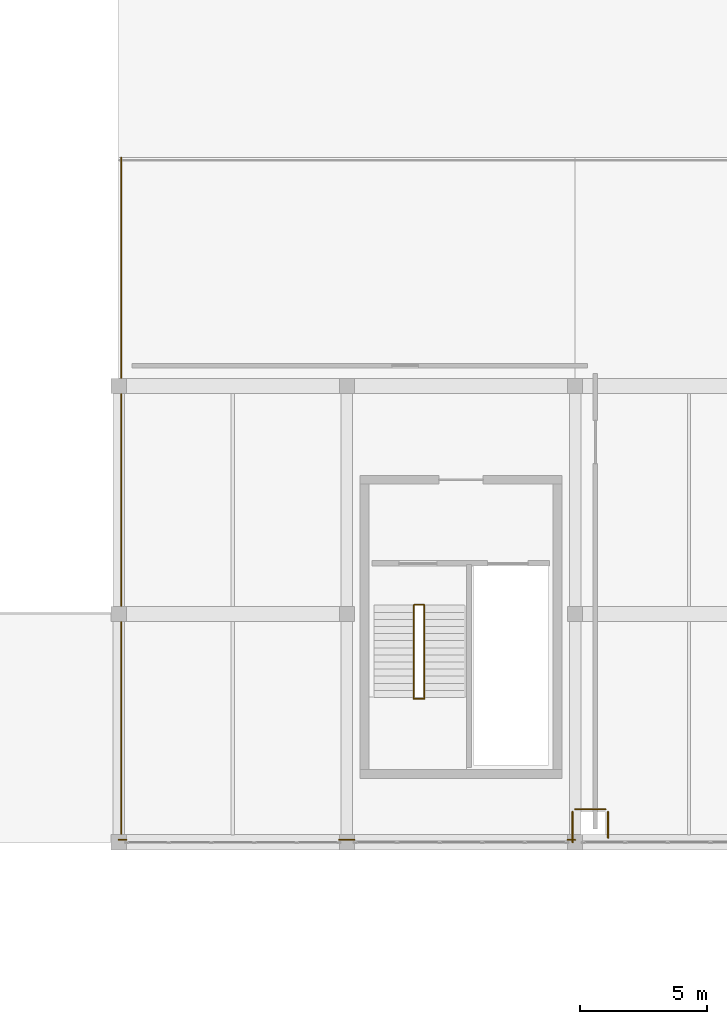
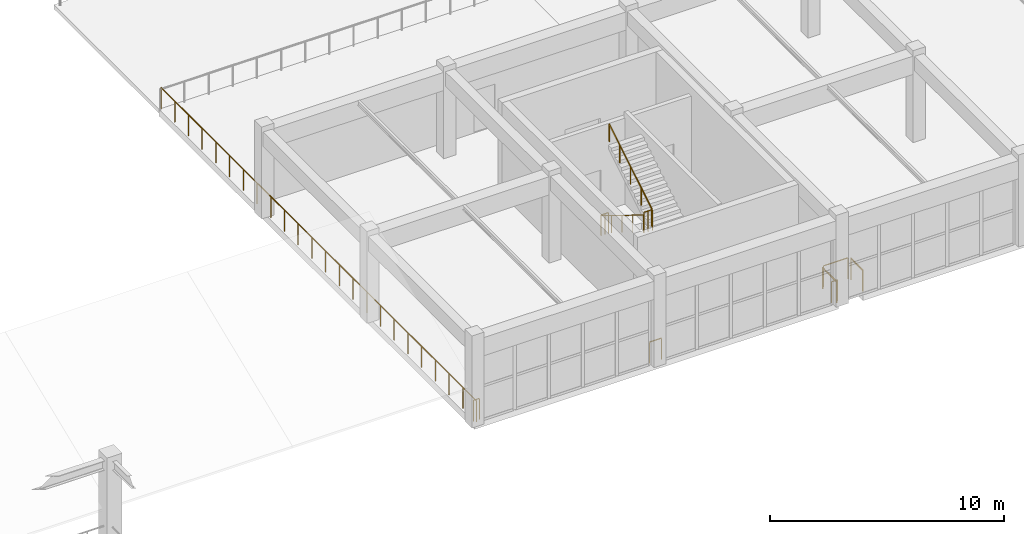
# One storey, part 84 of 89: 11 railings.
"""IFC4 building model written with IfcOpenShell, lengths in metres."""

from ifc_helpers import new_model, si_unit, direction, frame, origin, origin_2d, place, context, subcontext, project, spatial, circle, extrude, material, type_object, element, save


model = new_model("IFC4")

# Units and contexts
model_context = context("Model", 3, precision=1e-05, world=origin(), true_north=direction((0.0, 1.0)))
body_context = subcontext(model_context, "Body", "Model", "MODEL_VIEW")
ifc_project = project(units=[si_unit("LENGTHUNIT", "METRE"), si_unit("AREAUNIT", "SQUARE_METRE"), si_unit("VOLUMEUNIT", "CUBIC_METRE"), si_unit("PLANEANGLEUNIT", "RADIAN"), si_unit("MASSUNIT", "GRAM", prefix="KILO")], contexts=[model_context])

# Site, building, storey
site_placement = place(None, origin())
site = spatial("IfcSite", under=ifc_project, at=site_placement, CompositionType="ELEMENT")
building_placement = place(site_placement, origin())
building = spatial("IfcBuilding", under=site, at=building_placement, Name="Dornveld Trade and Exhibition Forum", CompositionType="ELEMENT")
storey_placement = place(building_placement, frame((0.0, 0.0, 12.0)))
storey = spatial("IfcBuildingStorey", under=building, at=storey_placement, Name="L02", CompositionType="ELEMENT", Elevation=12.0)

# Railings
ifc_material_1 = material(Name="Dark-bronze steel and laminated glass balustrade", Category="steel")
railing_type_1 = type_object("IfcRailingType", Name="RL-BALUST-CONC", PredefinedType="BALUSTRADE", material=ifc_material_1)
railing_1_placement = place(storey_placement, frame((190.300048828125, 108.179931640625, 0.0)))
element("IfcRailing", 1, at=railing_1_placement, inside=storey, type_object=railing_type_1, Name="L02 deck edge balustrade 118", PredefinedType="BALUSTRADE", context=body_context, shape_type="SweptSolid", body=[
    extrude(circle(Radius=0.02490234375, at=origin_2d()), frame((0.0, 0.0, 1.09521484375), z_axis=(0.0, 1.0, 0.0), x_axis=(-1.0, 0.0, 0.0)), (0.0, 0.0, 1.0), 1.02001953125),
    extrude(circle(Radius=0.02099609375, at=origin_2d()), origin(), (0.0, 0.0, 1.0), 1.070068359375),
    extrude(circle(Radius=0.02099609375, at=origin_2d()), frame((0.0, 1.02001953125, 0.0)), (0.0, 0.0, 1.0), 1.070068359375),
])
railing_2_placement = place(storey_placement, frame((190.199951171875, 109.300048828125, 0.0)))
element("IfcRailing", 2, at=railing_2_placement, inside=storey, type_object=railing_type_1, Name="L02 deck edge balustrade 119", PredefinedType="BALUSTRADE", context=body_context, shape_type="SweptSolid", body=[
    extrude(circle(Radius=0.02490234375, at=origin_2d()), frame((0.0, 0.0, 1.09521484375), z_axis=(-1.0, 0.0, 0.0), x_axis=(0.0, -1.0, 0.0)), (0.0, 0.0, 1.0), 1.199951171875),
    extrude(circle(Radius=0.02099609375, at=origin_2d()), origin(), (0.0, 0.0, 1.0), 1.070068359375),
    extrude(circle(Radius=0.02099609375, at=origin_2d()), frame((-1.199951171875, 0.0, 0.0)), (0.0, 0.0, 1.0), 1.070068359375),
])
railing_3_placement = place(storey_placement, frame((188.89990234375, 109.199951171875, 0.0)))
element("IfcRailing", 3, at=railing_3_placement, inside=storey, type_object=railing_type_1, Name="L02 deck edge balustrade 120", PredefinedType="BALUSTRADE", context=body_context, shape_type="SweptSolid", body=[
    extrude(circle(Radius=0.02490234375, at=origin_2d()), frame((0.0, 0.0, 1.09521484375), z_axis=(0.0, -1.0, 0.0), x_axis=(1.0, 0.0, 0.0)), (0.0, 0.0, 1.0), 1.199951171875),
    extrude(circle(Radius=0.02099609375, at=origin_2d()), origin(), (0.0, 0.0, 1.0), 1.070068359375),
    extrude(circle(Radius=0.02099609375, at=origin_2d()), frame((0.0, -1.199951171875, 0.0)), (0.0, 0.0, 1.0), 1.070068359375),
])
railing_4_placement = place(storey_placement, frame((189.0, 108.10009765625, 0.0)))
element("IfcRailing", 4, at=railing_4_placement, inside=storey, type_object=railing_type_1, Name="L02 deck edge balustrade 121", PredefinedType="BALUSTRADE", context=body_context, shape_type="SweptSolid", body=[
    extrude(circle(Radius=0.02490234375, at=origin_2d()), frame((0.0, 0.0, 1.09521484375), z_axis=(-1.0, 0.0, 0.0), x_axis=(0.0, -1.0, 0.0)), (0.0, 0.0, 1.0), 0.2958984375),
    extrude(circle(Radius=0.02099609375, at=origin_2d()), origin(), (0.0, 0.0, 1.0), 1.070068359375),
    extrude(circle(Radius=0.02099609375, at=origin_2d()), frame((-0.2958984375, 0.0, 0.0)), (0.0, 0.0, 1.0), 1.070068359375),
])
railing_5_placement = place(storey_placement, frame((180.2958984375, 108.10009765625, 0.0)))
element("IfcRailing", 5, at=railing_5_placement, inside=storey, type_object=railing_type_1, Name="L02 deck edge balustrade 122", PredefinedType="BALUSTRADE", context=body_context, shape_type="SweptSolid", body=[
    extrude(circle(Radius=0.02490234375, at=origin_2d()), frame((0.0, 0.0, 1.09521484375), z_axis=(-1.0, 0.0, 0.0), x_axis=(0.0, -1.0, 0.0)), (0.0, 0.0, 1.0), 0.591796875),
    extrude(circle(Radius=0.02099609375, at=origin_2d()), origin(), (0.0, 0.0, 1.0), 1.070068359375),
    extrude(circle(Radius=0.02099609375, at=origin_2d()), frame((-0.591796875, 0.0, 0.0)), (0.0, 0.0, 1.0), 1.070068359375),
])
railing_6_placement = place(storey_placement, frame((171.2958984375, 108.10009765625, 0.0)))
element("IfcRailing", 6, at=railing_6_placement, inside=storey, type_object=railing_type_1, Name="L02 deck edge balustrade 123", PredefinedType="BALUSTRADE", context=body_context, shape_type="SweptSolid", body=[
    extrude(circle(Radius=0.02490234375, at=origin_2d()), frame((0.0, 0.0, 1.09521484375), z_axis=(-1.0, 0.0, 0.0), x_axis=(0.0, -1.0, 0.0)), (0.0, 0.0, 1.0), 0.2958984375),
    extrude(circle(Radius=0.02099609375, at=origin_2d()), origin(), (0.0, 0.0, 1.0), 1.070068359375),
    extrude(circle(Radius=0.02099609375, at=origin_2d()), frame((-0.2958984375, 0.0, 0.0)), (0.0, 0.0, 1.0), 1.070068359375),
])
railing_7_placement = place(storey_placement, frame((171.10009765625, 108.0, 0.0)))
element("IfcRailing", 7, at=railing_7_placement, inside=storey, type_object=railing_type_1, Name="L02 deck edge balustrade 124", PredefinedType="BALUSTRADE", context=body_context, shape_type="SweptSolid", body=[
    extrude(circle(Radius=0.02490234375, at=origin_2d()), frame((0.0, 0.0, 1.09521484375), z_axis=(0.0, 1.0, 0.0), x_axis=(-1.0, 0.0, 0.0)), (0.0, 0.0, 1.0), 27.0),
    extrude(circle(Radius=0.02099609375, at=origin_2d()), origin(), (0.0, 0.0, 1.0), 1.070068359375),
    extrude(circle(Radius=0.02099609375, at=origin_2d()), frame((0.0, 1.173828125, 0.0)), (0.0, 0.0, 1.0), 1.070068359375),
    extrude(circle(Radius=0.02099609375, at=origin_2d()), frame((0.0, 2.347900390625, 0.0)), (0.0, 0.0, 1.0), 1.070068359375),
    extrude(circle(Radius=0.02099609375, at=origin_2d()), frame((0.0, 3.521728515625, 0.0)), (0.0, 0.0, 1.0), 1.070068359375),
    extrude(circle(Radius=0.02099609375, at=origin_2d()), frame((0.0, 4.695556640625, 0.0)), (0.0, 0.0, 1.0), 1.070068359375),
    extrude(circle(Radius=0.02099609375, at=origin_2d()), frame((0.0, 5.86962890625, 0.0)), (0.0, 0.0, 1.0), 1.070068359375),
    extrude(circle(Radius=0.02099609375, at=origin_2d()), frame((0.0, 7.04345703125, 0.0)), (0.0, 0.0, 1.0), 1.070068359375),
    extrude(circle(Radius=0.02099609375, at=origin_2d()), frame((0.0, 8.21728515625, 0.0)), (0.0, 0.0, 1.0), 1.070068359375),
    extrude(circle(Radius=0.02099609375, at=origin_2d()), frame((0.0, 9.391357421875, 0.0)), (0.0, 0.0, 1.0), 1.070068359375),
    extrude(circle(Radius=0.02099609375, at=origin_2d()), frame((0.0, 10.565185546875, 0.0)), (0.0, 0.0, 1.0), 1.070068359375),
    extrude(circle(Radius=0.02099609375, at=origin_2d()), frame((0.0, 11.739013671875, 0.0)), (0.0, 0.0, 1.0), 1.070068359375),
    extrude(circle(Radius=0.02099609375, at=origin_2d()), frame((0.0, 12.9130859375, 0.0)), (0.0, 0.0, 1.0), 1.070068359375),
    extrude(circle(Radius=0.02099609375, at=origin_2d()), frame((0.0, 14.0869140625, 0.0)), (0.0, 0.0, 1.0), 1.070068359375),
    extrude(circle(Radius=0.02099609375, at=origin_2d()), frame((0.0, 15.260986328125, 0.0)), (0.0, 0.0, 1.0), 1.070068359375),
    extrude(circle(Radius=0.02099609375, at=origin_2d()), frame((0.0, 16.434814453125, 0.0)), (0.0, 0.0, 1.0), 1.070068359375),
    extrude(circle(Radius=0.02099609375, at=origin_2d()), frame((0.0, 17.608642578125, 0.0)), (0.0, 0.0, 1.0), 1.070068359375),
    extrude(circle(Radius=0.02099609375, at=origin_2d()), frame((0.0, 18.78271484375, 0.0)), (0.0, 0.0, 1.0), 1.070068359375),
    extrude(circle(Radius=0.02099609375, at=origin_2d()), frame((0.0, 19.95654296875, 0.0)), (0.0, 0.0, 1.0), 1.070068359375),
    extrude(circle(Radius=0.02099609375, at=origin_2d()), frame((0.0, 21.13037109375, 0.0)), (0.0, 0.0, 1.0), 1.070068359375),
    extrude(circle(Radius=0.02099609375, at=origin_2d()), frame((0.0, 22.304443359375, 0.0)), (0.0, 0.0, 1.0), 1.070068359375),
    extrude(circle(Radius=0.02099609375, at=origin_2d()), frame((0.0, 23.478271484375, 0.0)), (0.0, 0.0, 1.0), 1.070068359375),
    extrude(circle(Radius=0.02099609375, at=origin_2d()), frame((0.0, 24.652099609375, 0.0)), (0.0, 0.0, 1.0), 1.070068359375),
    extrude(circle(Radius=0.02099609375, at=origin_2d()), frame((0.0, 25.826171875, 0.0)), (0.0, 0.0, 1.0), 1.070068359375),
    extrude(circle(Radius=0.02099609375, at=origin_2d()), frame((0.0, 27.0, 0.0)), (0.0, 0.0, 1.0), 1.070068359375),
])
ifc_material_2 = material(Name="Brushed stainless steel handrail", Category="steel")
railing_type_2 = type_object("IfcRailingType", Name="RL-HAND-920", PredefinedType="HANDRAIL", material=ifc_material_2)
railing_8_placement = place(storey_placement, frame((182.639892578125, 117.35009765625, 0.17138671875)))
element("IfcRailing", 8, at=railing_8_placement, inside=storey, type_object=railing_type_2, Name="ST-12-L02 flight 1 handrail", PredefinedType="HANDRAIL", context=body_context, shape_type="SweptSolid", body=[
    extrude(circle(Radius=0.02099609375, at=origin_2d()), frame((0.0, 0.0, 0.89892578125), z_axis=(0.0, -0.852865859571, 0.52213008492), x_axis=(1.0, 0.0, 0.0)), (0.0, 0.0, 1.0), 4.26806640625),
    extrude(circle(Radius=0.01806640625, at=origin_2d()), origin(), (0.0, 0.0, 1.0), 0.8779296875),
    extrude(circle(Radius=0.01806640625, at=origin_2d()), frame((0.0, -0.91015625, 0.55712890625)), (0.0, 0.0, 1.0), 0.8779296875),
    extrude(circle(Radius=0.01806640625, at=origin_2d()), frame((0.0, -1.820068359375, 1.1142578125)), (0.0, 0.0, 1.0), 0.8779296875),
    extrude(circle(Radius=0.01806640625, at=origin_2d()), frame((0.0, -2.72998046875, 1.67138671875)), (0.0, 0.0, 1.0), 0.8779296875),
    extrude(circle(Radius=0.01806640625, at=origin_2d()), frame((0.0, -3.64013671875, 2.228515625)), (0.0, 0.0, 1.0), 0.8779296875),
])
railing_9_placement = place(storey_placement, frame((183.06005859375, 113.7099609375, 2.5712890625)))
element("IfcRailing", 9, at=railing_9_placement, inside=storey, type_object=railing_type_2, Name="ST-12-L02 flight 2 handrail", PredefinedType="HANDRAIL", context=body_context, shape_type="SweptSolid", body=[
    extrude(circle(Radius=0.02099609375, at=origin_2d()), frame((0.0, 0.0, 0.89892578125), z_axis=(0.0, 0.852840387347, 0.522171689878), x_axis=(-1.0, 0.0, 0.0)), (0.0, 0.0, 1.0), 4.268310546875),
    extrude(circle(Radius=0.01806640625, at=origin_2d()), origin(), (0.0, 0.0, 1.0), 0.8779296875),
    extrude(circle(Radius=0.01806640625, at=origin_2d()), frame((0.0, 0.91015625, 0.55712890625)), (0.0, 0.0, 1.0), 0.8779296875),
    extrude(circle(Radius=0.01806640625, at=origin_2d()), frame((0.0, 1.820068359375, 1.1142578125)), (0.0, 0.0, 1.0), 0.8779296875),
    extrude(circle(Radius=0.01806640625, at=origin_2d()), frame((0.0, 2.72998046875, 1.671630859375)), (0.0, 0.0, 1.0), 0.8779296875),
    extrude(circle(Radius=0.01806640625, at=origin_2d()), frame((0.0, 3.64013671875, 2.228759765625)), (0.0, 0.0, 1.0), 0.8779296875),
])
ifc_material_3 = material(Name="Painted steel S355J2 stair-well guard", Category="steel")
railing_type_3 = type_object("IfcRailingType", Name="RL-WELL-110", PredefinedType="GUARDRAIL", material=ifc_material_3)
railing_10_placement = place(storey_placement, frame((182.639892578125, 113.659912109375, 2.39990234375)))
element("IfcRailing", 10, at=railing_10_placement, inside=storey, type_object=railing_type_3, Name="ST-12-L02 half-landing well guard", PredefinedType="GUARDRAIL", context=body_context, shape_type="SweptSolid", body=[
    extrude(circle(Radius=0.02392578125, at=origin_2d()), frame((0.0, 0.0, 1.076171875), z_axis=(1.0, 0.0, 0.0), x_axis=(0.0, 1.0, 0.0)), (0.0, 0.0, 1.0), 0.420166015625),
    extrude(circle(Radius=0.02001953125, at=origin_2d()), origin(), (0.0, 0.0, 1.0), 1.052001953125),
    extrude(circle(Radius=0.02001953125, at=origin_2d()), frame((0.2099609375, 0.0, 0.0)), (0.0, 0.0, 1.0), 1.052001953125),
    extrude(circle(Radius=0.02001953125, at=origin_2d()), frame((0.420166015625, 0.0, 0.0)), (0.0, 0.0, 1.0), 1.052001953125),
])
railing_11_placement = place(storey_placement, frame((182.669921875, 117.3701171875, 0.0)))
element("IfcRailing", 11, at=railing_11_placement, inside=storey, type_object=railing_type_3, Name="CORE-12 L02 stair-slot floor guard", PredefinedType="GUARDRAIL", context=body_context, shape_type="SweptSolid", body=[
    extrude(circle(Radius=0.02392578125, at=origin_2d()), frame((0.0, 0.0, 1.076171875), z_axis=(1.0, 0.0, 0.0), x_axis=(0.0, 1.0, 0.0)), (0.0, 0.0, 1.0), 0.360107421875),
    extrude(circle(Radius=0.02001953125, at=origin_2d()), origin(), (0.0, 0.0, 1.0), 1.052001953125),
    extrude(circle(Radius=0.02001953125, at=origin_2d()), frame((0.18017578125, 0.0, 0.0)), (0.0, 0.0, 1.0), 1.052001953125),
    extrude(circle(Radius=0.02001953125, at=origin_2d()), frame((0.360107421875, 0.0, 0.0)), (0.0, 0.0, 1.0), 1.052001953125),
])

save(model, "model.ifc")
